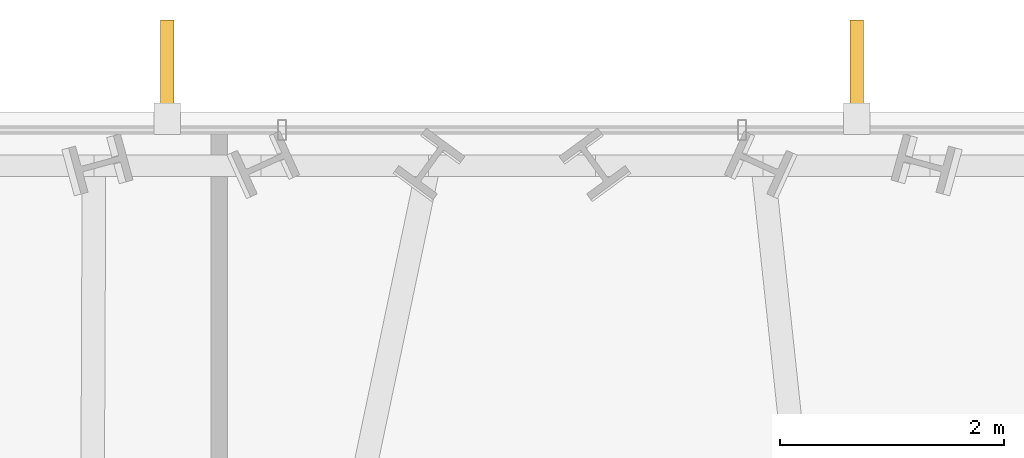
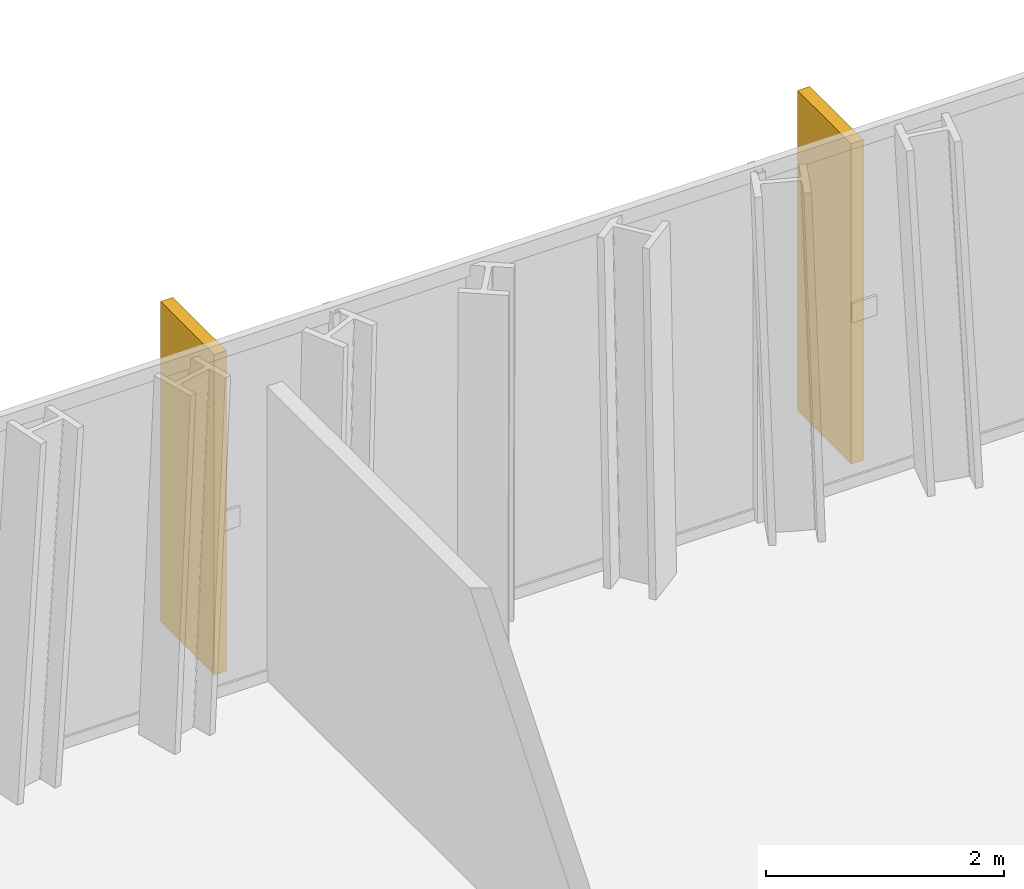
# One storey, part 32 of 32: 2 shading devices.
"""IFC4 building model written with IfcOpenShell, lengths in metres."""

from ifc_helpers import new_model, si_unit, direction, frame, origin, origin_2d, place, context, subcontext, project, spatial, rectangle, extrude, material, type_object, element, save


model = new_model("IFC4")

# Units and contexts
model_context = context("Model", 3, precision=1e-05, world=origin(), true_north=direction((0.0, 1.0)))
body_context = subcontext(model_context, "Body", "Model", "MODEL_VIEW")
ifc_project = project(units=[si_unit("LENGTHUNIT", "METRE"), si_unit("AREAUNIT", "SQUARE_METRE"), si_unit("VOLUMEUNIT", "CUBIC_METRE"), si_unit("PLANEANGLEUNIT", "RADIAN"), si_unit("MASSUNIT", "GRAM", prefix="KILO")], contexts=[model_context])

# Site, building, storey
site_placement = place(None, origin())
site = spatial("IfcSite", under=ifc_project, at=site_placement, CompositionType="ELEMENT")
building_placement = place(site_placement, origin())
building = spatial("IfcBuilding", under=site, at=building_placement, Name="Ndaravel Arena Tower", CompositionType="ELEMENT")
storey_placement = place(building_placement, frame((0.0, 0.0, 134.60009765625)))
storey = spatial("IfcBuildingStorey", under=building, at=storey_placement, Name="L31", CompositionType="ELEMENT", Elevation=134.60009765625)

# Shading devices
ifc_material = material(Name="Masonry", Category="masonry")
shading_device_type = type_object("IfcShadingDeviceType", Name="SHD-MAZERAS-FIN", PredefinedType="SHUTTER", material=ifc_material)
for number, where, z_axis, x_axis, name in (
    (1, (45.083251953125, 46.590087890625, 0.14990234375), (0.0, 0.0, 1.0), (0.0, 1.0, 0.0), "L31 Mazeras Stone Solar Fin E4.1"),
    (2, (38.916748046875, 46.590087890625, 0.14990234375), (0.0, 0.0, 1.0), (0.0, 1.0, 0.0), "L31 Mazeras Stone Solar Fin E4.2"),
):
    element("IfcShadingDevice", number, at=place(storey_placement, frame(where, z_axis=z_axis, x_axis=x_axis)), inside=storey, type_object=shading_device_type, Name=name, PredefinedType="SHUTTER", context=body_context, shape_type="SweptSolid", body=[
        extrude(rectangle(XDim=0.89990234375, YDim=0.1201171875, at=origin_2d()), origin(), (0.0, 0.0, 1.0), 3.280029296875),
    ])

save(model, "model.ifc")
